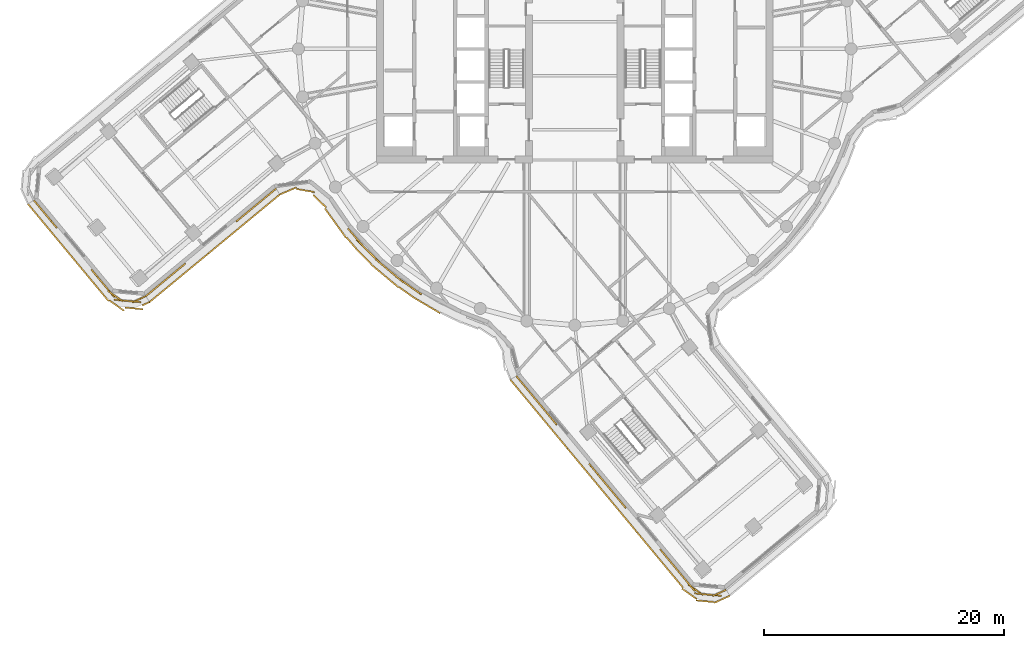
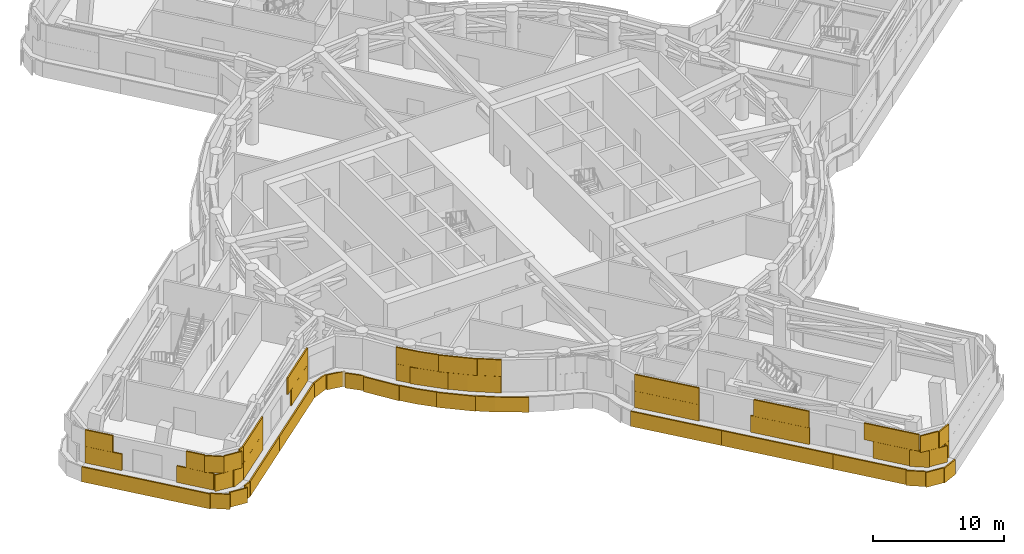
# One storey, part 16 of 22: 7 coverings.
"""IFC4 building model written with IfcOpenShell, lengths in metres."""

from ifc_helpers import new_model, si_unit, direction, frame, origin, origin_2d, place, context, subcontext, project, spatial, rectangle, extrude, material, layer, layer_set, type_object, element, save


model = new_model("IFC4")

# Units and contexts
model_context = context("Model", 3, precision=1e-05, world=origin(), true_north=direction((0.0, 1.0)))
body_context = subcontext(model_context, "Body", "Model", "MODEL_VIEW")
ifc_project = project(units=[si_unit("LENGTHUNIT", "METRE"), si_unit("AREAUNIT", "SQUARE_METRE"), si_unit("VOLUMEUNIT", "CUBIC_METRE"), si_unit("PLANEANGLEUNIT", "RADIAN"), si_unit("MASSUNIT", "GRAM", prefix="KILO")], contexts=[model_context])

# Site, building, storey
site_placement = place(None, origin())
site = spatial("IfcSite", under=ifc_project, at=site_placement, CompositionType="ELEMENT")
building_placement = place(site_placement, origin())
building = spatial("IfcBuilding", under=site, at=building_placement, Name="Tamarind Cross Interchange Tower", CompositionType="ELEMENT")
storey_placement = place(building_placement, frame((0.0, 0.0, 178.0)))
storey = spatial("IfcBuildingStorey", under=building, at=storey_placement, Name="L44", CompositionType="ELEMENT", Elevation=178.0)

# Coverings
ifc_material = material(Name="Terracotta", Category="masonry")
ifc_layer = layer(ifc_material, 0.1201171875)
ifc_layer_set = layer_set([ifc_layer], Name="Terracotta")
covering_type = type_object("IfcCoveringType", Name="Terracotta baguette screen unit", PredefinedType="MOLDING", material=ifc_layer_set)
covering_1_placement = place(storey_placement, origin())
element("IfcCovering", 1, at=covering_1_placement, inside=storey, type_object=covering_type, Name="SCR-L44-00-00", PredefinedType="MOLDING", context=body_context, shape_type="SweptSolid", body=[
    extrude(rectangle(XDim=1.510009765625, YDim=0.1201171875, at=origin_2d()), frame((-44.542236328125, -13.177001953125, 1.404052734375), z_axis=(0.0, 0.0, 1.0), x_axis=(0.638800045488, -0.769372797728, 0.0)), (0.0, 0.0, 1.0), 1.5419921875),
    extrude(rectangle(XDim=1.52001953125, YDim=0.1201171875, at=origin_2d()), frame((-43.583984375, -14.3310546875, 1.404052734375), z_axis=(0.0, 0.0, 1.0), x_axis=(0.638800045488, -0.769372797728, 0.0)), (0.0, 0.0, 1.0), 1.5419921875),
    extrude(rectangle(XDim=1.52001953125, YDim=0.1201171875, at=origin_2d()), frame((-39.751220703125, -18.947265625, 1.404052734375), z_axis=(0.0, 0.0, 1.0), x_axis=(0.638800045488, -0.769372797728, 0.0)), (0.0, 0.0, 1.0), 1.5419921875),
    extrude(rectangle(XDim=1.52001953125, YDim=0.1201171875, at=origin_2d()), frame((-38.79296875, -20.101318359375, 1.404052734375), z_axis=(0.0, 0.0, 1.0), x_axis=(0.638800045488, -0.769372797728, 0.0)), (0.0, 0.0, 1.0), 1.5419921875),
    extrude(rectangle(XDim=1.52001953125, YDim=0.1201171875, at=origin_2d()), frame((-37.58935546875, -20.9453125, 1.404052734375), z_axis=(0.0, 0.0, 1.0), x_axis=(0.995728566521, -0.092328878547, 0.0)), (0.0, 0.0, 1.0), 1.5419921875),
    extrude(rectangle(XDim=1.259521484375, YDim=0.1201171875, at=origin_2d()), frame((-36.259521484375, -20.844482421875, 1.404052734375), z_axis=(0.0, 0.0, 1.0), x_axis=(0.908490673155, 0.417905128936, 0.0)), (0.0, 0.0, 1.0), 1.5419921875),
    extrude(rectangle(XDim=0.760009765625, YDim=0.1201171875, at=origin_2d()), frame((-44.78173828125, -12.888671875, 2.9541015625), z_axis=(0.0, 0.0, 1.0), x_axis=(0.638800045488, -0.769372797728, 0.0)), (0.0, 0.0, 1.0), 1.5419921875),
    extrude(rectangle(XDim=1.52001953125, YDim=0.1201171875, at=origin_2d()), frame((-44.06298828125, -13.754150390625, 2.9541015625), z_axis=(0.0, 0.0, 1.0), x_axis=(0.638800045488, -0.769372797728, 0.0)), (0.0, 0.0, 1.0), 1.5419921875),
    extrude(rectangle(XDim=1.52001953125, YDim=0.1201171875, at=origin_2d()), frame((-39.27197265625, -19.5244140625, 2.9541015625), z_axis=(0.0, 0.0, 1.0), x_axis=(0.638800045488, -0.769372797728, 0.0)), (0.0, 0.0, 1.0), 1.5419921875),
    extrude(rectangle(XDim=1.52001953125, YDim=0.1201171875, at=origin_2d()), frame((-38.2294921875, -20.587158203125, 2.9541015625), z_axis=(0.0, 0.0, 1.0), x_axis=(0.816161794608, -0.577823437585, 0.0)), (0.0, 0.0, 1.0), 1.5419921875),
    extrude(rectangle(XDim=1.52001953125, YDim=0.1201171875, at=origin_2d()), frame((-36.842529296875, -21.0146484375, 2.9541015625), z_axis=(0.0, 0.0, 1.0), x_axis=(0.995728566521, -0.092328878547, 0.0)), (0.0, 0.0, 1.0), 1.5419921875),
    extrude(rectangle(XDim=0.509521484375, YDim=0.1201171875, at=origin_2d()), frame((-35.918701171875, -20.687744140625, 2.9541015625), z_axis=(0.0, 0.0, 1.0), x_axis=(0.908490673155, 0.417905128936, 0.0)), (0.0, 0.0, 1.0), 1.5419921875),
    extrude(rectangle(XDim=1.510009765625, YDim=0.1201171875, at=origin_2d()), frame((-45.02880859375, -13.489501953125, 0.00390625), z_axis=(0.0, 0.0, 1.0), x_axis=(0.638800045488, -0.769372797728, 0.0)), (0.0, 0.0, 1.0), 1.39208984375),
    extrude(rectangle(XDim=1.52001953125, YDim=0.1201171875, at=origin_2d()), frame((-44.073974609375, -14.6396484375, 0.00390625), z_axis=(0.0, 0.0, 1.0), x_axis=(0.638800045488, -0.769372797728, 0.0)), (0.0, 0.0, 1.0), 1.39208984375),
    extrude(rectangle(XDim=1.52001953125, YDim=0.1201171875, at=origin_2d()), frame((-43.11572265625, -15.793701171875, 0.00390625), z_axis=(0.0, 0.0, 1.0), x_axis=(0.638800045488, -0.769372797728, 0.0)), (0.0, 0.0, 1.0), 1.39208984375),
    extrude(rectangle(XDim=1.52001953125, YDim=0.1201171875, at=origin_2d()), frame((-42.157470703125, -16.94775390625, 0.00390625), z_axis=(0.0, 0.0, 1.0), x_axis=(0.638800045488, -0.769372797728, 0.0)), (0.0, 0.0, 1.0), 1.39208984375),
    extrude(rectangle(XDim=1.52001953125, YDim=0.1201171875, at=origin_2d()), frame((-41.19921875, -18.101806640625, 0.00390625), z_axis=(0.0, 0.0, 1.0), x_axis=(0.638800045488, -0.769372797728, 0.0)), (0.0, 0.0, 1.0), 1.39208984375),
    extrude(rectangle(XDim=1.52001953125, YDim=0.1201171875, at=origin_2d()), frame((-40.240966796875, -19.255859375, 0.00390625), z_axis=(0.0, 0.0, 1.0), x_axis=(0.638800045488, -0.769372797728, 0.0)), (0.0, 0.0, 1.0), 1.39208984375),
    extrude(rectangle(XDim=1.52001953125, YDim=0.1201171875, at=origin_2d()), frame((-39.282958984375, -20.409912109375, 0.00390625), z_axis=(0.0, 0.0, 1.0), x_axis=(0.638800045488, -0.769372797728, 0.0)), (0.0, 0.0, 1.0), 1.39208984375),
    extrude(rectangle(XDim=1.52001953125, YDim=0.1201171875, at=origin_2d()), frame((-38.134033203125, -21.358154296875, 0.00390625), z_axis=(0.0, 0.0, 1.0), x_axis=(0.816161794608, -0.577823437585, 0.0)), (0.0, 0.0, 1.0), 1.39208984375),
    extrude(rectangle(XDim=1.52001953125, YDim=0.1201171875, at=origin_2d()), frame((-36.680908203125, -21.60595703125, 0.00390625), z_axis=(0.0, 0.0, 1.0), x_axis=(0.995728566521, -0.092328878547, 0.0)), (0.0, 0.0, 1.0), 1.39208984375),
    extrude(rectangle(XDim=0.67626953125, YDim=0.1201171875, at=origin_2d()), frame((-35.691162109375, -21.21484375, 0.00390625), z_axis=(0.0, 0.0, 1.0), x_axis=(0.908490673155, 0.417905128936, 0.0)), (0.0, 0.0, 1.0), 1.39208984375),
])
covering_2_placement = place(storey_placement, origin())
element("IfcCovering", 2, at=covering_2_placement, inside=storey, type_object=covering_type, Name="SCR-L44-01-00", PredefinedType="MOLDING", context=body_context, shape_type="SweptSolid", body=[
    extrude(rectangle(XDim=1.510009765625, YDim=0.1201171875, at=origin_2d()), frame((-35.113525390625, -20.10595703125, 1.404052734375), z_axis=(0.0, 0.0, 1.0), x_axis=(0.771227326834, 0.636559824639, 0.0)), (0.0, 0.0, 1.0), 1.5419921875),
    extrude(rectangle(XDim=1.52001953125, YDim=0.1201171875, at=origin_2d()), frame((-33.95654296875, -19.151123046875, 1.404052734375), z_axis=(0.0, 0.0, 1.0), x_axis=(0.771227326834, 0.636559824639, 0.0)), (0.0, 0.0, 1.0), 1.5419921875),
    extrude(rectangle(XDim=1.2802734375, YDim=0.1201171875, at=origin_2d()), frame((-32.888427734375, -18.26953125, 1.404052734375), z_axis=(0.0, 0.0, 1.0), x_axis=(0.771227326834, 0.636559824639, 0.0)), (0.0, 0.0, 1.0), 1.5419921875),
    extrude(rectangle(XDim=0.760009765625, YDim=0.1201171875, at=origin_2d()), frame((-35.402587890625, -20.3447265625, 2.9541015625), z_axis=(0.0, 0.0, 1.0), x_axis=(0.771227326834, 0.636559824639, 0.0)), (0.0, 0.0, 1.0), 1.5419921875),
    extrude(rectangle(XDim=1.52001953125, YDim=0.1201171875, at=origin_2d()), frame((-34.534912109375, -19.628662109375, 2.9541015625), z_axis=(0.0, 0.0, 1.0), x_axis=(0.771227326834, 0.636559824639, 0.0)), (0.0, 0.0, 1.0), 1.5419921875),
    extrude(rectangle(XDim=1.52001953125, YDim=0.1201171875, at=origin_2d()), frame((-33.378173828125, -18.673828125, 2.9541015625), z_axis=(0.0, 0.0, 1.0), x_axis=(0.771227326834, 0.636559824639, 0.0)), (0.0, 0.0, 1.0), 1.5419921875),
    extrude(rectangle(XDim=0.5302734375, YDim=0.1201171875, at=origin_2d()), frame((-32.59912109375, -18.03076171875, 2.9541015625), z_axis=(0.0, 0.0, 1.0), x_axis=(0.771227326834, 0.636559824639, 0.0)), (0.0, 0.0, 1.0), 1.5419921875),
    extrude(rectangle(XDim=1.510009765625, YDim=0.1201171875, at=origin_2d()), frame((-34.8017578125, -20.593017578125, 0.00390625), z_axis=(0.0, 0.0, 1.0), x_axis=(0.771227326834, 0.636559824639, 0.0)), (0.0, 0.0, 1.0), 1.39208984375),
    extrude(rectangle(XDim=1.52001953125, YDim=0.1201171875, at=origin_2d()), frame((-33.64892578125, -19.641357421875, 0.00390625), z_axis=(0.0, 0.0, 1.0), x_axis=(0.771227326834, 0.636559824639, 0.0)), (0.0, 0.0, 1.0), 1.39208984375),
    extrude(rectangle(XDim=1.52001953125, YDim=0.1201171875, at=origin_2d()), frame((-32.491943359375, -18.6865234375, 0.00390625), z_axis=(0.0, 0.0, 1.0), x_axis=(0.771227326834, 0.636559824639, 0.0)), (0.0, 0.0, 1.0), 1.39208984375),
    extrude(rectangle(XDim=1.52001953125, YDim=0.1201171875, at=origin_2d()), frame((-31.335205078125, -17.731689453125, 0.00390625), z_axis=(0.0, 0.0, 1.0), x_axis=(0.771227326834, 0.636559824639, 0.0)), (0.0, 0.0, 1.0), 1.39208984375),
    extrude(rectangle(XDim=0.376708984375, YDim=0.1201171875, at=origin_2d()), frame((-30.619140625, -17.140625, 0.00390625), z_axis=(0.0, 0.0, 1.0), x_axis=(0.771227326834, 0.636559824639, 0.0)), (0.0, 0.0, 1.0), 1.39208984375),
])
covering_3_placement = place(storey_placement, origin())
element("IfcCovering", 3, at=covering_3_placement, inside=storey, type_object=covering_type, Name="SCR-L44-01-01", PredefinedType="MOLDING", context=body_context, shape_type="SweptSolid", body=[
    extrude(rectangle(XDim=1.52001953125, YDim=0.1201171875, at=origin_2d()), frame((-27.015625, -13.422119140625, 1.404052734375), z_axis=(0.0, 0.0, 1.0), x_axis=(0.771227326834, 0.636559824639, 0.0)), (0.0, 0.0, 1.0), 1.5419921875),
    extrude(rectangle(XDim=1.52001953125, YDim=0.1201171875, at=origin_2d()), frame((-25.858642578125, -12.46728515625, 1.404052734375), z_axis=(0.0, 0.0, 1.0), x_axis=(0.771227326834, 0.636559824639, 0.0)), (0.0, 0.0, 1.0), 1.5419921875),
    extrude(rectangle(XDim=0.570556640625, YDim=0.1201171875, at=origin_2d()), frame((-25.064208984375, -11.8115234375, 1.404052734375), z_axis=(0.0, 0.0, 1.0), x_axis=(0.771227326834, 0.636559824639, 0.0)), (0.0, 0.0, 1.0), 1.5419921875),
    extrude(rectangle(XDim=1.52001953125, YDim=0.1201171875, at=origin_2d()), frame((-27.593994140625, -13.899658203125, 2.9541015625), z_axis=(0.0, 0.0, 1.0), x_axis=(0.771227326834, 0.636559824639, 0.0)), (0.0, 0.0, 1.0), 1.5419921875),
    extrude(rectangle(XDim=1.52001953125, YDim=0.1201171875, at=origin_2d()), frame((-26.43701171875, -12.944580078125, 2.9541015625), z_axis=(0.0, 0.0, 1.0), x_axis=(0.771227326834, 0.636559824639, 0.0)), (0.0, 0.0, 1.0), 1.5419921875),
    extrude(rectangle(XDim=1.320556640625, YDim=0.1201171875, at=origin_2d()), frame((-25.353271484375, -12.050048828125, 2.9541015625), z_axis=(0.0, 0.0, 1.0), x_axis=(0.771227326834, 0.636559824639, 0.0)), (0.0, 0.0, 1.0), 1.5419921875),
    extrude(rectangle(XDim=1.14306640625, YDim=0.1201171875, at=origin_2d()), frame((-30.032958984375, -16.656982421875, 0.00390625), z_axis=(0.0, 0.0, 1.0), x_axis=(0.771227326834, 0.636559824639, 0.0)), (0.0, 0.0, 1.0), 1.39208984375),
    extrude(rectangle(XDim=1.52001953125, YDim=0.1201171875, at=origin_2d()), frame((-29.021484375, -15.822021484375, 0.00390625), z_axis=(0.0, 0.0, 1.0), x_axis=(0.771227326834, 0.636559824639, 0.0)), (0.0, 0.0, 1.0), 1.39208984375),
    extrude(rectangle(XDim=1.52001953125, YDim=0.1201171875, at=origin_2d()), frame((-27.86474609375, -14.8671875, 0.00390625), z_axis=(0.0, 0.0, 1.0), x_axis=(0.771227326834, 0.636559824639, 0.0)), (0.0, 0.0, 1.0), 1.39208984375),
    extrude(rectangle(XDim=1.52001953125, YDim=0.1201171875, at=origin_2d()), frame((-26.707763671875, -13.912353515625, 0.00390625), z_axis=(0.0, 0.0, 1.0), x_axis=(0.771227326834, 0.636559824639, 0.0)), (0.0, 0.0, 1.0), 1.39208984375),
    extrude(rectangle(XDim=1.52001953125, YDim=0.1201171875, at=origin_2d()), frame((-25.551025390625, -12.95751953125, 0.00390625), z_axis=(0.0, 0.0, 1.0), x_axis=(0.771227326834, 0.636559824639, 0.0)), (0.0, 0.0, 1.0), 1.39208984375),
    extrude(rectangle(XDim=0.56298828125, YDim=0.1201171875, at=origin_2d()), frame((-24.76318359375, -12.307373046875, 0.00390625), z_axis=(0.0, 0.0, 1.0), x_axis=(0.771227326834, 0.636559824639, 0.0)), (0.0, 0.0, 1.0), 1.39208984375),
])
covering_4_placement = place(storey_placement, origin())
element("IfcCovering", 4, at=covering_4_placement, inside=storey, type_object=covering_type, Name="SCR-L44-02-00", PredefinedType="MOLDING", context=body_context, shape_type="SweptSolid", body=[
    extrude(rectangle(XDim=1.185546875, YDim=0.1201171875, at=origin_2d()), frame((-18.499755859375, -15.39501953125, 1.404052734375), z_axis=(0.0, 0.0, 1.0), x_axis=(0.64957723968, -0.760295606781, 0.0)), (0.0, 0.0, 1.0), 1.5419921875),
    extrude(rectangle(XDim=1.52001953125, YDim=0.1201171875, at=origin_2d()), frame((-17.62890625, -16.410400390625, 1.404052734375), z_axis=(0.0, 0.0, 1.0), x_axis=(0.710143317658, -0.704057148523, 0.0)), (0.0, 0.0, 1.0), 1.5419921875),
    extrude(rectangle(XDim=1.52001953125, YDim=0.1201171875, at=origin_2d()), frame((-16.563720703125, -17.46630859375, 1.404052734375), z_axis=(0.0, 0.0, 1.0), x_axis=(0.710143317658, -0.704057148523, 0.0)), (0.0, 0.0, 1.0), 1.5419921875),
    extrude(rectangle(XDim=1.52001953125, YDim=0.1201171875, at=origin_2d()), frame((-15.440673828125, -18.458984375, 1.404052734375), z_axis=(0.0, 0.0, 1.0), x_axis=(0.765858396687, -0.643009266048, 0.0)), (0.0, 0.0, 1.0), 1.5419921875),
    extrude(rectangle(XDim=1.52001953125, YDim=0.1201171875, at=origin_2d()), frame((-14.26416015625, -19.3876953125, 1.404052734375), z_axis=(0.0, 0.0, 1.0), x_axis=(0.816341886298, -0.577568978284, 0.0)), (0.0, 0.0, 1.0), 1.5419921875),
    extrude(rectangle(XDim=1.10107421875, YDim=0.1201171875, at=origin_2d()), frame((-13.20654296875, -20.135986328125, 1.404052734375), z_axis=(0.0, 0.0, 1.0), x_axis=(0.816341886298, -0.577568978284, 0.0)), (0.0, 0.0, 1.0), 1.5419921875),
    extrude(rectangle(XDim=0.435546875, YDim=0.1201171875, at=origin_2d()), frame((-18.743408203125, -15.10986328125, 2.9541015625), z_axis=(0.0, 0.0, 1.0), x_axis=(0.64957723968, -0.760295606781, 0.0)), (0.0, 0.0, 1.0), 1.5419921875),
    extrude(rectangle(XDim=1.52001953125, YDim=0.1201171875, at=origin_2d()), frame((-18.117919921875, -15.841796875, 2.9541015625), z_axis=(0.0, 0.0, 1.0), x_axis=(0.64957723968, -0.760295606781, 0.0)), (0.0, 0.0, 1.0), 1.5419921875),
    extrude(rectangle(XDim=1.52001953125, YDim=0.1201171875, at=origin_2d()), frame((-17.096435546875, -16.9384765625, 2.9541015625), z_axis=(0.0, 0.0, 1.0), x_axis=(0.710143317658, -0.704057148523, 0.0)), (0.0, 0.0, 1.0), 1.5419921875),
    extrude(rectangle(XDim=1.52001953125, YDim=0.1201171875, at=origin_2d()), frame((-16.014892578125, -17.976806640625, 2.9541015625), z_axis=(0.0, 0.0, 1.0), x_axis=(0.765858396687, -0.643009266048, 0.0)), (0.0, 0.0, 1.0), 1.5419921875),
    extrude(rectangle(XDim=1.52001953125, YDim=0.1201171875, at=origin_2d()), frame((-14.8662109375, -18.94140625, 2.9541015625), z_axis=(0.0, 0.0, 1.0), x_axis=(0.765858396687, -0.643009266048, 0.0)), (0.0, 0.0, 1.0), 1.5419921875),
    extrude(rectangle(XDim=1.52001953125, YDim=0.1201171875, at=origin_2d()), frame((-13.65185546875, -19.82080078125, 2.9541015625), z_axis=(0.0, 0.0, 1.0), x_axis=(0.816341886298, -0.577568978284, 0.0)), (0.0, 0.0, 1.0), 1.5419921875),
    extrude(rectangle(XDim=0.35107421875, YDim=0.1201171875, at=origin_2d()), frame((-12.89013671875, -20.336669921875, 2.9541015625), z_axis=(0.0, 0.0, 1.0), x_axis=(0.861248933065, -0.508183308752, 0.0)), (0.0, 0.0, 1.0), 1.5419921875),
    extrude(rectangle(XDim=1.510009765625, YDim=0.1201171875, at=origin_2d()), frame((-23.852294921875, -11.83056640625, 0.00390625), z_axis=(0.0, 0.0, 1.0), x_axis=(0.919019017417, 0.394213198188, 0.0)), (0.0, 0.0, 1.0), 1.39208984375),
    extrude(rectangle(XDim=1.52001953125, YDim=0.1201171875, at=origin_2d()), frame((-22.3974609375, -11.7978515625, 0.00390625), z_axis=(0.0, 0.0, 1.0), x_axis=(0.985544047078, -0.169419394609, 0.0)), (0.0, 0.0, 1.0), 1.39208984375),
    extrude(rectangle(XDim=1.52001953125, YDim=0.1201171875, at=origin_2d()), frame((-21.22607421875, -12.689697265625, 0.00390625), z_axis=(0.0, 0.0, 1.0), x_axis=(0.716480906333, -0.697606702132, 0.0)), (0.0, 0.0, 1.0), 1.39208984375),
    extrude(rectangle(XDim=1.52001953125, YDim=0.1201171875, at=origin_2d()), frame((-20.353515625, -13.900634765625, 0.00390625), z_axis=(0.0, 0.0, 1.0), x_axis=(0.584573890505, -0.811340475102, 0.0)), (0.0, 0.0, 1.0), 1.39208984375),
    extrude(rectangle(XDim=1.52001953125, YDim=0.1201171875, at=origin_2d()), frame((-19.4765625, -15.11767578125, 0.00390625), z_axis=(0.0, 0.0, 1.0), x_axis=(0.584573890505, -0.811340475102, 0.0)), (0.0, 0.0, 1.0), 1.39208984375),
    extrude(rectangle(XDim=1.52001953125, YDim=0.1201171875, at=origin_2d()), frame((-18.51123046875, -16.26513671875, 0.00390625), z_axis=(0.0, 0.0, 1.0), x_axis=(0.64957723968, -0.760295606781, 0.0)), (0.0, 0.0, 1.0), 1.39208984375),
    extrude(rectangle(XDim=1.52001953125, YDim=0.1201171875, at=origin_2d()), frame((-17.487060546875, -17.359375, 0.00390625), z_axis=(0.0, 0.0, 1.0), x_axis=(0.710143317658, -0.704057148523, 0.0)), (0.0, 0.0, 1.0), 1.39208984375),
    extrude(rectangle(XDim=1.52001953125, YDim=0.1201171875, at=origin_2d()), frame((-16.406005859375, -18.39794921875, 0.00390625), z_axis=(0.0, 0.0, 1.0), x_axis=(0.765858396687, -0.643009266048, 0.0)), (0.0, 0.0, 1.0), 1.39208984375),
    extrude(rectangle(XDim=1.52001953125, YDim=0.1201171875, at=origin_2d()), frame((-15.257080078125, -19.362548828125, 0.00390625), z_axis=(0.0, 0.0, 1.0), x_axis=(0.765858396687, -0.643009266048, 0.0)), (0.0, 0.0, 1.0), 1.39208984375),
    extrude(rectangle(XDim=1.52001953125, YDim=0.1201171875, at=origin_2d()), frame((-14.04541015625, -20.245361328125, 0.00390625), z_axis=(0.0, 0.0, 1.0), x_axis=(0.816341886298, -0.577568978284, 0.0)), (0.0, 0.0, 1.0), 1.39208984375),
    extrude(rectangle(XDim=1.52001953125, YDim=0.1201171875, at=origin_2d()), frame((-12.7890625, -21.062744140625, 0.00390625), z_axis=(0.0, 0.0, 1.0), x_axis=(0.861248933065, -0.508183308752, 0.0)), (0.0, 0.0, 1.0), 1.39208984375),
    extrude(rectangle(XDim=1.1103515625, YDim=0.1201171875, at=origin_2d()), frame((-11.673828125, -21.720947265625, 0.00390625), z_axis=(0.0, 0.0, 1.0), x_axis=(0.861248933065, -0.508183308752, 0.0)), (0.0, 0.0, 1.0), 1.39208984375),
])
covering_5_placement = place(storey_placement, origin())
element("IfcCovering", 5, at=covering_5_placement, inside=storey, type_object=covering_type, Name="SCR-L44-03-00", PredefinedType="MOLDING", context=body_context, shape_type="SweptSolid", body=[
    extrude(rectangle(XDim=1.510009765625, YDim=0.1201171875, at=origin_2d()), frame((-4.389892578125, -27.811767578125, 1.404052734375), z_axis=(0.0, 0.0, 1.0), x_axis=(0.638800045488, -0.769372797728, 0.0)), (0.0, 0.0, 1.0), 1.5419921875),
    extrude(rectangle(XDim=1.52001953125, YDim=0.1201171875, at=origin_2d()), frame((-3.431640625, -28.9658203125, 1.404052734375), z_axis=(0.0, 0.0, 1.0), x_axis=(0.638800045488, -0.769372797728, 0.0)), (0.0, 0.0, 1.0), 1.5419921875),
    extrude(rectangle(XDim=1.52001953125, YDim=0.1201171875, at=origin_2d()), frame((-2.4736328125, -30.119873046875, 1.404052734375), z_axis=(0.0, 0.0, 1.0), x_axis=(0.638800045488, -0.769372797728, 0.0)), (0.0, 0.0, 1.0), 1.5419921875),
    extrude(rectangle(XDim=0.786376953125, YDim=0.1201171875, at=origin_2d()), frame((-1.746337890625, -30.99560546875, 1.404052734375), z_axis=(0.0, 0.0, 1.0), x_axis=(0.638800045488, -0.769372797728, 0.0)), (0.0, 0.0, 1.0), 1.5419921875),
    extrude(rectangle(XDim=0.760009765625, YDim=0.1201171875, at=origin_2d()), frame((-4.62939453125, -27.523193359375, 2.9541015625), z_axis=(0.0, 0.0, 1.0), x_axis=(0.638800045488, -0.769372797728, 0.0)), (0.0, 0.0, 1.0), 1.5419921875),
    extrude(rectangle(XDim=1.52001953125, YDim=0.1201171875, at=origin_2d()), frame((-3.910888671875, -28.388671875, 2.9541015625), z_axis=(0.0, 0.0, 1.0), x_axis=(0.638800045488, -0.769372797728, 0.0)), (0.0, 0.0, 1.0), 1.5419921875),
    extrude(rectangle(XDim=1.52001953125, YDim=0.1201171875, at=origin_2d()), frame((-2.95263671875, -29.542724609375, 2.9541015625), z_axis=(0.0, 0.0, 1.0), x_axis=(0.638800045488, -0.769372797728, 0.0)), (0.0, 0.0, 1.0), 1.5419921875),
    extrude(rectangle(XDim=1.52001953125, YDim=0.1201171875, at=origin_2d()), frame((-1.994384765625, -30.69677734375, 2.9541015625), z_axis=(0.0, 0.0, 1.0), x_axis=(0.638800045488, -0.769372797728, 0.0)), (0.0, 0.0, 1.0), 1.5419921875),
    extrude(rectangle(XDim=1.510009765625, YDim=0.1201171875, at=origin_2d()), frame((-4.890380859375, -28.107421875, 0.00390625), z_axis=(0.0, 0.0, 1.0), x_axis=(0.638800045488, -0.769372797728, 0.0)), (0.0, 0.0, 1.0), 1.39208984375),
    extrude(rectangle(XDim=1.52001953125, YDim=0.1201171875, at=origin_2d()), frame((-3.935302734375, -29.257568359375, 0.00390625), z_axis=(0.0, 0.0, 1.0), x_axis=(0.638800045488, -0.769372797728, 0.0)), (0.0, 0.0, 1.0), 1.39208984375),
    extrude(rectangle(XDim=1.52001953125, YDim=0.1201171875, at=origin_2d()), frame((-2.977294921875, -30.41162109375, 0.00390625), z_axis=(0.0, 0.0, 1.0), x_axis=(0.638800045488, -0.769372797728, 0.0)), (0.0, 0.0, 1.0), 1.39208984375),
    extrude(rectangle(XDim=1.52001953125, YDim=0.1201171875, at=origin_2d()), frame((-2.01904296875, -31.565673828125, 0.00390625), z_axis=(0.0, 0.0, 1.0), x_axis=(0.638800045488, -0.769372797728, 0.0)), (0.0, 0.0, 1.0), 1.39208984375),
    extrude(rectangle(XDim=1.4423828125, YDim=0.1201171875, at=origin_2d()), frame((-1.085693359375, -32.68994140625, 0.00390625), z_axis=(0.0, 0.0, 1.0), x_axis=(0.638800045488, -0.769372797728, 0.0)), (0.0, 0.0, 1.0), 1.39208984375),
])
covering_6_placement = place(storey_placement, origin())
element("IfcCovering", 6, at=covering_6_placement, inside=storey, type_object=covering_type, Name="SCR-L44-03-01", PredefinedType="MOLDING", context=body_context, shape_type="SweptSolid", body=[
    extrude(rectangle(XDim=1.03369140625, YDim=0.1201171875, at=origin_2d()), frame((1.511474609375, -34.91943359375, 1.404052734375), z_axis=(0.0, 0.0, 1.0), x_axis=(0.638800045488, -0.769372797728, 0.0)), (0.0, 0.0, 1.0), 1.5419921875),
    extrude(rectangle(XDim=1.52001953125, YDim=0.1201171875, at=origin_2d()), frame((2.3173828125, -35.89013671875, 1.404052734375), z_axis=(0.0, 0.0, 1.0), x_axis=(0.638800045488, -0.769372797728, 0.0)), (0.0, 0.0, 1.0), 1.5419921875),
    extrude(rectangle(XDim=1.52001953125, YDim=0.1201171875, at=origin_2d()), frame((3.275634765625, -37.044189453125, 1.404052734375), z_axis=(0.0, 0.0, 1.0), x_axis=(0.638800045488, -0.769372797728, 0.0)), (0.0, 0.0, 1.0), 1.5419921875),
    extrude(rectangle(XDim=0.797119140625, YDim=0.1201171875, at=origin_2d()), frame((4.006103515625, -37.924072265625, 1.404052734375), z_axis=(0.0, 0.0, 1.0), x_axis=(0.638800045488, -0.769372797728, 0.0)), (0.0, 0.0, 1.0), 1.5419921875),
    extrude(rectangle(XDim=1.52001953125, YDim=0.1201171875, at=origin_2d()), frame((1.83837890625, -35.31298828125, 2.9541015625), z_axis=(0.0, 0.0, 1.0), x_axis=(0.638800045488, -0.769372797728, 0.0)), (0.0, 0.0, 1.0), 1.5419921875),
    extrude(rectangle(XDim=1.52001953125, YDim=0.1201171875, at=origin_2d()), frame((2.796630859375, -36.467041015625, 2.9541015625), z_axis=(0.0, 0.0, 1.0), x_axis=(0.638800045488, -0.769372797728, 0.0)), (0.0, 0.0, 1.0), 1.5419921875),
    extrude(rectangle(XDim=1.52001953125, YDim=0.1201171875, at=origin_2d()), frame((3.7548828125, -37.62109375, 2.9541015625), z_axis=(0.0, 0.0, 1.0), x_axis=(0.638800045488, -0.769372797728, 0.0)), (0.0, 0.0, 1.0), 1.5419921875),
    extrude(rectangle(XDim=0.07763671875, YDim=0.1201171875, at=origin_2d()), frame((-0.60009765625, -33.274658203125, 0.00390625), z_axis=(0.0, 0.0, 1.0), x_axis=(0.638800045488, -0.769372797728, 0.0)), (0.0, 0.0, 1.0), 1.39208984375),
    extrude(rectangle(XDim=1.52001953125, YDim=0.1201171875, at=origin_2d()), frame((-0.1025390625, -33.8740234375, 0.00390625), z_axis=(0.0, 0.0, 1.0), x_axis=(0.638800045488, -0.769372797728, 0.0)), (0.0, 0.0, 1.0), 1.39208984375),
    extrude(rectangle(XDim=1.52001953125, YDim=0.1201171875, at=origin_2d()), frame((0.85546875, -35.028076171875, 0.00390625), z_axis=(0.0, 0.0, 1.0), x_axis=(0.638800045488, -0.769372797728, 0.0)), (0.0, 0.0, 1.0), 1.39208984375),
    extrude(rectangle(XDim=1.52001953125, YDim=0.1201171875, at=origin_2d()), frame((1.813720703125, -36.18212890625, 0.00390625), z_axis=(0.0, 0.0, 1.0), x_axis=(0.638800045488, -0.769372797728, 0.0)), (0.0, 0.0, 1.0), 1.39208984375),
    extrude(rectangle(XDim=1.52001953125, YDim=0.1201171875, at=origin_2d()), frame((2.77197265625, -37.336181640625, 0.00390625), z_axis=(0.0, 0.0, 1.0), x_axis=(0.638800045488, -0.769372797728, 0.0)), (0.0, 0.0, 1.0), 1.39208984375),
    extrude(rectangle(XDim=1.52001953125, YDim=0.1201171875, at=origin_2d()), frame((3.730224609375, -38.490234375, 0.00390625), z_axis=(0.0, 0.0, 1.0), x_axis=(0.638800045488, -0.769372797728, 0.0)), (0.0, 0.0, 1.0), 1.39208984375),
    extrude(rectangle(XDim=1.52001953125, YDim=0.1201171875, at=origin_2d()), frame((4.6884765625, -39.644287109375, 0.00390625), z_axis=(0.0, 0.0, 1.0), x_axis=(0.638800045488, -0.769372797728, 0.0)), (0.0, 0.0, 1.0), 1.39208984375),
])
covering_7_placement = place(storey_placement, origin())
element("IfcCovering", 7, at=covering_7_placement, inside=storey, type_object=covering_type, Name="SCR-L44-03-02", PredefinedType="MOLDING", context=body_context, shape_type="SweptSolid", body=[
    extrude(rectangle(XDim=1.52001953125, YDim=0.1201171875, at=origin_2d()), frame((8.066650390625, -42.814453125, 1.404052734375), z_axis=(0.0, 0.0, 1.0), x_axis=(0.638800045488, -0.769372797728, 0.0)), (0.0, 0.0, 1.0), 1.5419921875),
    extrude(rectangle(XDim=1.52001953125, YDim=0.1201171875, at=origin_2d()), frame((9.02490234375, -43.968505859375, 1.404052734375), z_axis=(0.0, 0.0, 1.0), x_axis=(0.638800045488, -0.769372797728, 0.0)), (0.0, 0.0, 1.0), 1.5419921875),
    extrude(rectangle(XDim=1.52001953125, YDim=0.1201171875, at=origin_2d()), frame((10.069091796875, -45.02978515625, 1.404052734375), z_axis=(0.0, 0.0, 1.0), x_axis=(0.816161794608, -0.577823437585, 0.0)), (0.0, 0.0, 1.0), 1.5419921875),
    extrude(rectangle(XDim=1.52001953125, YDim=0.1201171875, at=origin_2d()), frame((11.457275390625, -45.453125, 1.404052734375), z_axis=(0.0, 0.0, 1.0), x_axis=(0.995728566521, -0.092328878547, 0.0)), (0.0, 0.0, 1.0), 1.5419921875),
    extrude(rectangle(XDim=0.50146484375, YDim=0.1201171875, at=origin_2d()), frame((12.376708984375, -45.1240234375, 1.404052734375), z_axis=(0.0, 0.0, 1.0), x_axis=(0.908490673155, 0.417905128936, 0.0)), (0.0, 0.0, 1.0), 1.5419921875),
    extrude(rectangle(XDim=1.52001953125, YDim=0.1201171875, at=origin_2d()), frame((7.587646484375, -42.237548828125, 2.9541015625), z_axis=(0.0, 0.0, 1.0), x_axis=(0.638800045488, -0.769372797728, 0.0)), (0.0, 0.0, 1.0), 1.5419921875),
    extrude(rectangle(XDim=1.52001953125, YDim=0.1201171875, at=origin_2d()), frame((8.5458984375, -43.3916015625, 2.9541015625), z_axis=(0.0, 0.0, 1.0), x_axis=(0.638800045488, -0.769372797728, 0.0)), (0.0, 0.0, 1.0), 1.5419921875),
    extrude(rectangle(XDim=1.52001953125, YDim=0.1201171875, at=origin_2d()), frame((9.50390625, -44.545654296875, 2.9541015625), z_axis=(0.0, 0.0, 1.0), x_axis=(0.638800045488, -0.769372797728, 0.0)), (0.0, 0.0, 1.0), 1.5419921875),
    extrude(rectangle(XDim=1.52001953125, YDim=0.1201171875, at=origin_2d()), frame((10.71044921875, -45.384033203125, 2.9541015625), z_axis=(0.0, 0.0, 1.0), x_axis=(0.995728566521, -0.092328878547, 0.0)), (0.0, 0.0, 1.0), 1.5419921875),
    extrude(rectangle(XDim=1.25146484375, YDim=0.1201171875, at=origin_2d()), frame((12.0361328125, -45.28076171875, 2.9541015625), z_axis=(0.0, 0.0, 1.0), x_axis=(0.908490673155, 0.417905128936, 0.0)), (0.0, 0.0, 1.0), 1.5419921875),
    extrude(rectangle(XDim=1.49853515625, YDim=0.1201171875, at=origin_2d()), frame((5.6533203125, -40.806396484375, 0.00390625), z_axis=(0.0, 0.0, 1.0), x_axis=(0.638800045488, -0.769372797728, 0.0)), (0.0, 0.0, 1.0), 1.39208984375),
    extrude(rectangle(XDim=1.52001953125, YDim=0.1201171875, at=origin_2d()), frame((6.604736328125, -41.952392578125, 0.00390625), z_axis=(0.0, 0.0, 1.0), x_axis=(0.638800045488, -0.769372797728, 0.0)), (0.0, 0.0, 1.0), 1.39208984375),
    extrude(rectangle(XDim=1.52001953125, YDim=0.1201171875, at=origin_2d()), frame((7.56298828125, -43.1064453125, 0.00390625), z_axis=(0.0, 0.0, 1.0), x_axis=(0.638800045488, -0.769372797728, 0.0)), (0.0, 0.0, 1.0), 1.39208984375),
    extrude(rectangle(XDim=1.52001953125, YDim=0.1201171875, at=origin_2d()), frame((8.521240234375, -44.260498046875, 0.00390625), z_axis=(0.0, 0.0, 1.0), x_axis=(0.638800045488, -0.769372797728, 0.0)), (0.0, 0.0, 1.0), 1.39208984375),
    extrude(rectangle(XDim=1.52001953125, YDim=0.1201171875, at=origin_2d()), frame((9.53466796875, -45.354736328125, 0.00390625), z_axis=(0.0, 0.0, 1.0), x_axis=(0.816161794608, -0.577823437585, 0.0)), (0.0, 0.0, 1.0), 1.39208984375),
    extrude(rectangle(XDim=1.52001953125, YDim=0.1201171875, at=origin_2d()), frame((10.8505859375, -45.973388671875, 0.00390625), z_axis=(0.0, 0.0, 1.0), x_axis=(0.995728566521, -0.092328878547, 0.0)), (0.0, 0.0, 1.0), 1.39208984375),
    extrude(rectangle(XDim=1.440673828125, YDim=0.1201171875, at=origin_2d()), frame((12.254150390625, -45.812255859375, 0.00390625), z_axis=(0.0, 0.0, 1.0), x_axis=(0.908490673155, 0.417905128936, 0.0)), (0.0, 0.0, 1.0), 1.39208984375),
])

save(model, "model.ifc")
